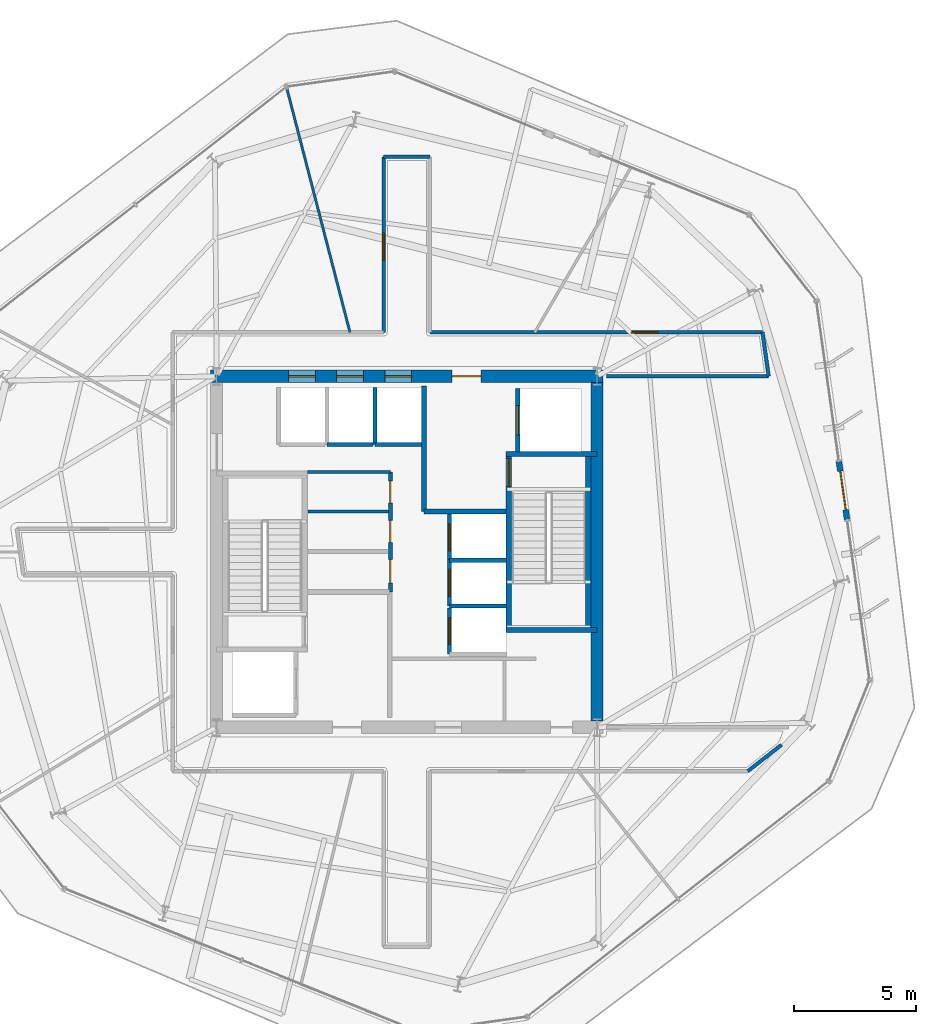
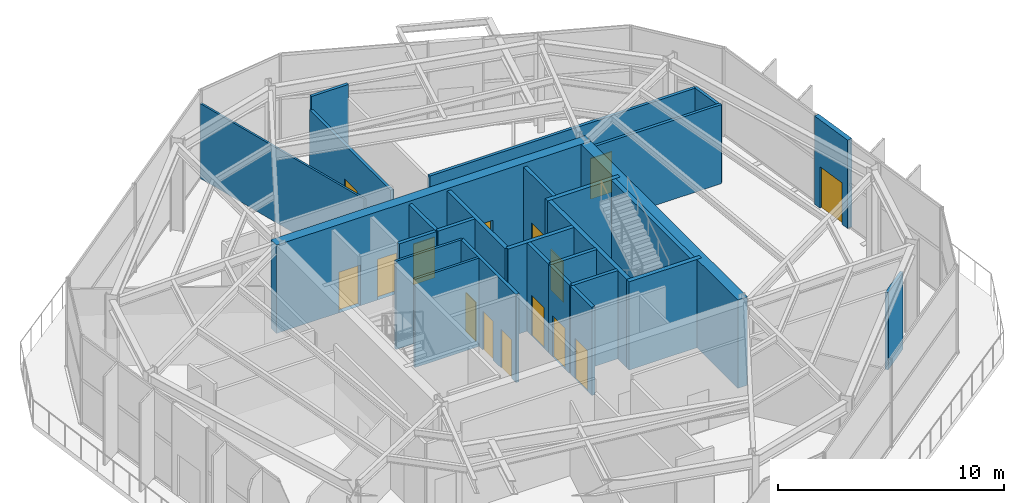
# One storey, part 10 of 14: 28 walls, 15 doors, 15 openings.
"""IFC4 building model written with IfcOpenShell, lengths in metres."""

from ifc_helpers import new_model, si_unit, direction, frame, frame_2d, origin, place, context, subcontext, project, spatial, rectangle, extrude, material, layer, layer_set, type_object, element, fill, save


model = new_model("IFC4")

# Units and contexts
model_context = context("Model", 3, precision=1e-05, world=origin(), true_north=direction((0.0, 1.0)))
body_context = subcontext(model_context, "Body", "Model", "MODEL_VIEW")
ifc_project = project(units=[si_unit("LENGTHUNIT", "METRE"), si_unit("AREAUNIT", "SQUARE_METRE"), si_unit("VOLUMEUNIT", "CUBIC_METRE"), si_unit("PLANEANGLEUNIT", "RADIAN"), si_unit("MASSUNIT", "GRAM", prefix="KILO")], contexts=[model_context])

# Site, building, storey
site_placement = place(None, origin())
site = spatial("IfcSite", under=ifc_project, at=site_placement, CompositionType="ELEMENT")
building_placement = place(site_placement, origin())
building = spatial("IfcBuilding", under=site, at=building_placement, Name="Kranzbogen Civic Tower", CompositionType="ELEMENT")
storey_placement = place(building_placement, frame((0.0, 0.0, 175.800048828125)))
storey = spatial("IfcBuildingStorey", under=building, at=storey_placement, Name="L42", CompositionType="ELEMENT", Elevation=175.800048828125)

# Wall, opening, door
ifc_material_1 = material(Name="Double-Stud Acoustic Gypsum Partition")
ifc_layer_1 = layer(ifc_material_1, 0.14990234375, Name="Double-Stud Acoustic Gypsum Partition")
ifc_layer_set_1 = layer_set([ifc_layer_1], Name="Double-Stud Acoustic Gypsum Partition")
wall_type_1 = type_object("IfcWallType", Name="Acoustic Corridor and Clinical Partition 150 mm", PredefinedType="PARTITIONING", material=ifc_layer_set_1)
wall_1_placement = place(storey_placement, frame((24.050048828125, 34.0, 0.0), z_axis=(0.0, 0.0, 1.0), x_axis=(0.0, 1.0, 0.0)))
wall_1 = element("IfcWall", 1, at=wall_1_placement, inside=storey, type_object=wall_type_1, Name="L42 corridor partition 11", PredefinedType="PARTITIONING", context=body_context, shape_type="SweptSolid", body=[
    extrude(rectangle(XDim=7.199951171875, YDim=0.14990234375, at=frame_2d((3.60009765625, 0.0))), origin(), (0.0, 0.0, 1.0), 4.050048828125),
])
opening_1_placement = place(wall_1_placement, frame((2.9619140625, 0.0, 0.0)))
opening_1 = element("IfcOpeningElement", 2, at=opening_1_placement, cuts=wall_1, Name="Opening D-COR60", PredefinedType="OPENING", context=body_context, shape_type="SweptSolid", body=[
    extrude(rectangle(XDim=1.10009765625, YDim=2.199951171875, at=frame_2d((0.550048828125, 1.10009765625))), frame((0.0, 0.0849609375, 0.0), z_axis=(0.0, -1.0, 0.0), x_axis=(1.0, 0.0, 0.0)), (0.0, 0.0, 1.0), 0.169921875),
])
ifc_material_2 = material(Name="Oak Timber and Fire Core", Category="wood")
door_type_1 = type_object("IfcDoorType", Name="Corridor Acoustic Fire Door 1100x2200", OperationType="NOTDEFINED", PredefinedType="DOOR", material=ifc_material_2)
door_1_placement = place(opening_1_placement, origin())
door_1 = element("IfcDoor", 3, at=door_1_placement, inside=storey, type_object=door_type_1, Name="L42 Refreshment Galley Pantry door", OperationType="SINGLE_SWING_LEFT", OverallHeight=2.199951171875, OverallWidth=1.10009765625, PredefinedType="DOOR", context=body_context, shape_type="SweptSolid", body=[
    extrude(rectangle(XDim=1.10009765625, YDim=2.199951171875, at=frame_2d((0.550048828125, 1.10009765625))), frame((0.0, 0.02490234375, 0.0), z_axis=(0.0, -1.0, 0.0), x_axis=(1.0, 0.0, 0.0)), (0.0, 0.0, 1.0), 0.050048828125),
])
fill(opening_1, door_1)

# Wall
wall_2_placement = place(storey_placement, frame((24.050048828125, 41.199951171875, 0.0), z_axis=(0.0, 0.0, 1.0), x_axis=(1.0, 0.0, 0.0)))
element("IfcWall", 4, at=wall_2_placement, inside=storey, type_object=wall_type_1, Name="L42 corridor partition 12", PredefinedType="PARTITIONING", context=body_context, shape_type="SweptSolid", body=[
    extrude(rectangle(XDim=1.89990234375, YDim=0.14990234375, at=frame_2d((0.949951171875, 0.0))), origin(), (0.0, 0.0, 1.0), 4.780029296875),
])

# Wall, opening, door
wall_3_placement = place(storey_placement, frame((25.949951171875, 34.0, 0.0), z_axis=(0.0, 0.0, 1.0), x_axis=(1.0, 0.0, 0.0)))
wall_3 = element("IfcWall", 5, at=wall_3_placement, inside=storey, type_object=wall_type_1, Name="L42 corridor partition 14", PredefinedType="PARTITIONING", context=body_context, shape_type="SweptSolid", body=[
    extrude(rectangle(XDim=13.64404296875, YDim=0.14990234375, at=frame_2d((6.822021484375, 0.0))), origin(), (0.0, 0.0, 1.0), 4.179931640625),
])
opening_2_placement = place(wall_3_placement, frame((8.262939453125, 0.0, 0.0)))
opening_2 = element("IfcOpeningElement", 6, at=opening_2_placement, cuts=wall_3, Name="Opening D-COR60", PredefinedType="OPENING", context=body_context, shape_type="SweptSolid", body=[
    extrude(rectangle(XDim=1.10009765625, YDim=2.199951171875, at=frame_2d((0.550048828125, 1.10009765625))), frame((0.0, 0.0849609375, 0.0), z_axis=(0.0, -1.0, 0.0), x_axis=(1.0, 0.0, 0.0)), (0.0, 0.0, 1.0), 0.169921875),
])
door_2_placement = place(opening_2_placement, origin())
door_2 = element("IfcDoor", 7, at=door_2_placement, inside=storey, type_object=door_type_1, Name="L42 Hospitality Catering Kitchen door", OperationType="SINGLE_SWING_RIGHT", OverallHeight=2.199951171875, OverallWidth=1.10009765625, PredefinedType="DOOR", context=body_context, shape_type="SweptSolid", body=[
    extrude(rectangle(XDim=1.10009765625, YDim=2.199951171875, at=frame_2d((0.550048828125, 1.10009765625))), frame((0.0, 0.02490234375, 0.0), z_axis=(0.0, -1.0, 0.0), x_axis=(1.0, 0.0, 0.0)), (0.0, 0.0, 1.0), 0.050048828125),
])
fill(opening_2, door_2)

# Walls
wall_4_placement = place(storey_placement, frame((39.593994140625, 34.0, 0.0), z_axis=(0.0, 0.0, 1.0), x_axis=(0.139145761488, -0.990271910669, 0.0)))
element("IfcWall", 8, at=wall_4_placement, inside=storey, type_object=wall_type_1, Name="L42 corridor partition 15", PredefinedType="PARTITIONING", context=body_context, shape_type="SweptSolid", body=[
    extrude(rectangle(XDim=1.817626953125, YDim=0.14990234375, at=frame_2d((0.90869140625, 0.0))), origin(), (0.0, 0.0, 1.0), 4.179931640625),
])
wall_5_placement = place(storey_placement, frame((39.846923828125, 32.199951171875, 0.0), z_axis=(0.0, 0.0, 1.0), x_axis=(-1.0, 0.0, 0.0)))
element("IfcWall", 9, at=wall_5_placement, inside=storey, type_object=wall_type_1, Name="L42 corridor partition 16", PredefinedType="PARTITIONING", context=body_context, shape_type="SweptSolid", body=[
    extrude(rectangle(XDim=6.64892578125, YDim=0.14990234375, at=frame_2d((3.324462890625, 0.0))), origin(), (0.0, 0.0, 1.0), 4.280029296875),
])
wall_6_placement = place(storey_placement, frame((40.375, 17.0830078125, 0.0), z_axis=(0.0, 0.0, 1.0), x_axis=(-0.78796755412, -0.615716764149, 0.0)))
element("IfcWall", 10, at=wall_6_placement, inside=storey, type_object=wall_type_1, Name="L42 corridor partition 18", PredefinedType="PARTITIONING", context=body_context, shape_type="SweptSolid", body=[
    extrude(rectangle(XDim=1.759033203125, YDim=0.14990234375, at=frame_2d((0.87939453125, 0.0))), origin(), (0.0, 0.0, 1.0), 4.179931640625),
])
ifc_material_3 = material(Name="Insulated Metal-Stud Gypsum Partition")
ifc_layer_2 = layer(ifc_material_3, 0.125, Name="Insulated Metal-Stud Gypsum Partition")
ifc_layer_set_2 = layer_set([ifc_layer_2], Name="Insulated Metal-Stud Gypsum Partition")
wall_type_2 = type_object("IfcWallType", Name="Acoustic Inter-Room Partition 125 mm", PredefinedType="PARTITIONING", material=ifc_layer_set_2)
wall_7_placement = place(storey_placement, frame((20.919921875, 28.280029296875, 0.0), z_axis=(0.0, 0.0, 1.0), x_axis=(1.0, 0.0, 0.0)))
element("IfcWall", 11, at=wall_7_placement, inside=storey, type_object=wall_type_2, Name="L42 core auxiliary North wall", PredefinedType="PARTITIONING", context=body_context, shape_type="SweptSolid", body=[
    extrude(rectangle(XDim=3.405029296875, YDim=0.125, at=frame_2d((1.70263671875, 0.0))), origin(), (0.0, 0.0, 1.0), 4.780029296875),
])
wall_8_placement = place(storey_placement, frame((20.949951171875, 26.659912109375, 0.0), z_axis=(0.0, 0.0, 1.0), x_axis=(1.0, 0.0, 0.0)))
element("IfcWall", 12, at=wall_8_placement, inside=storey, type_object=wall_type_2, Name="L42 core auxiliary partition 3", PredefinedType="PARTITIONING", context=body_context, shape_type="SweptSolid", body=[
    extrude(rectangle(XDim=3.300048828125, YDim=0.125, at=frame_2d((1.64990234375, 0.0))), origin(), (0.0, 0.0, 1.0), 4.780029296875),
])

# Wall, openings, doors
ifc_material_4 = material(Name="Concrete C45/55", Category="concrete")
ifc_layer_3 = layer(ifc_material_4, 0.5, Name="Concrete C45/55")
ifc_layer_set_3 = layer_set([ifc_layer_3], Name="Concrete C45/55")
wall_type_3 = type_object("IfcWallType", Name="Central Core Shear Wall 500 mm", PredefinedType="SHEAR", material=ifc_layer_set_3)
wall_9_placement = place(storey_placement, frame((33.050048828125, 32.199951171875, 0.0), z_axis=(0.0, 0.0, 1.0), x_axis=(-1.0, 0.0, 0.0)))
wall_9 = element("IfcWall", 13, at=wall_9_placement, inside=storey, type_object=wall_type_3, Name="L42 central core North shear wall", PredefinedType="SHEAR", context=body_context, shape_type="SweptSolid", body=[
    extrude(rectangle(XDim=16.10009765625, YDim=0.5, at=frame_2d((8.050048828125, 0.0))), origin(), (0.0, 0.0, 1.0), 4.780029296875),
])
opening_3_placement = place(wall_9_placement, frame((5.0, 0.0, 0.0)))
opening_3 = element("IfcOpeningElement", 14, at=opening_3_placement, cuts=wall_9, Name="Opening D-EX120", PredefinedType="OPENING", context=body_context, shape_type="SweptSolid", body=[
    extrude(rectangle(XDim=1.199951171875, YDim=2.25, at=frame_2d((0.60009765625, 1.125))), frame((0.0, 0.260009765625, 0.0), z_axis=(0.0, -1.0, 0.0), x_axis=(1.0, 0.0, 0.0)), (0.0, 0.0, 1.0), 0.52001953125),
])
opening_4_placement = place(wall_9_placement, frame((11.800048828125, 0.0, 0.0)))
opening_4 = element("IfcOpeningElement", 15, at=opening_4_placement, cuts=wall_9, Name="Opening LD-MP-01", PredefinedType="OPENING", context=body_context, shape_type="SweptSolid", body=[
    extrude(rectangle(XDim=1.10009765625, YDim=2.199951171875, at=frame_2d((0.550048828125, 1.10009765625))), frame((0.0, 0.260009765625, 0.0), z_axis=(0.0, -1.0, 0.0), x_axis=(1.0, 0.0, 0.0)), (0.0, 0.0, 1.0), 0.52001953125),
])
opening_5_placement = place(wall_9_placement, frame((9.824951171875, 0.0, 0.0)))
opening_5 = element("IfcOpeningElement", 16, at=opening_5_placement, cuts=wall_9, Name="Opening LD-MP-02", PredefinedType="OPENING", context=body_context, shape_type="SweptSolid", body=[
    extrude(rectangle(XDim=1.10009765625, YDim=2.199951171875, at=frame_2d((0.550048828125, 1.10009765625))), frame((0.0, 0.260009765625, 0.0), z_axis=(0.0, -1.0, 0.0), x_axis=(1.0, 0.0, 0.0)), (0.0, 0.0, 1.0), 0.52001953125),
])
opening_6_placement = place(wall_9_placement, frame((7.85009765625, 0.0, 0.0)))
opening_6 = element("IfcOpeningElement", 17, at=opening_6_placement, cuts=wall_9, Name="Opening LD-MP-03", PredefinedType="OPENING", context=body_context, shape_type="SweptSolid", body=[
    extrude(rectangle(XDim=1.10009765625, YDim=2.199951171875, at=frame_2d((0.550048828125, 1.10009765625))), frame((0.0, 0.260009765625, 0.0), z_axis=(0.0, -1.0, 0.0), x_axis=(1.0, 0.0, 0.0)), (0.0, 0.0, 1.0), 0.52001953125),
])
ifc_material_5 = material(Name="Steel S355", Category="steel")
door_type_2 = type_object("IfcDoorType", Name="Exit Passageway Fire Door 1200x2250", OperationType="NOTDEFINED", PredefinedType="DOOR", material=ifc_material_5)
door_3_placement = place(opening_3_placement, origin())
door_3 = element("IfcDoor", 18, at=door_3_placement, inside=storey, type_object=door_type_2, Name="L42 East firefighting lobby corridor door", OperationType="SINGLE_SWING_RIGHT", OverallHeight=2.25, OverallWidth=1.199951171875, PredefinedType="DOOR", context=body_context, shape_type="SweptSolid", body=[
    extrude(rectangle(XDim=1.199951171875, YDim=2.25, at=frame_2d((0.60009765625, 1.125))), frame((0.0, 0.02490234375, 0.0), z_axis=(0.0, -1.0, 0.0), x_axis=(1.0, 0.0, 0.0)), (0.0, 0.0, 1.0), 0.050048828125),
])
fill(opening_3, door_3)
ifc_material_6 = material(Name="Pale Anodised Aluminium", Category="aluminium")
door_type_3 = type_object("IfcDoorType", Name="Passenger Lift Sliding Landing Door 1100x2200", OperationType="DOUBLE_DOOR_SLIDING", PredefinedType="DOOR", material=ifc_material_6)
door_4_placement = place(opening_4_placement, origin())
door_4 = element("IfcDoor", 19, at=door_4_placement, inside=storey, type_object=door_type_3, Name="L42 lift MP-01 sliding landing door", OperationType="DOUBLE_DOOR_SLIDING", OverallHeight=2.199951171875, OverallWidth=1.10009765625, PredefinedType="DOOR", context=body_context, shape_type="SweptSolid", body=[
    extrude(rectangle(XDim=1.10009765625, YDim=2.199951171875, at=frame_2d((0.550048828125, 1.10009765625))), frame((0.0, 0.02490234375, 0.0), z_axis=(0.0, -1.0, 0.0), x_axis=(1.0, 0.0, 0.0)), (0.0, 0.0, 1.0), 0.050048828125),
])
fill(opening_4, door_4)
door_5_placement = place(opening_5_placement, origin())
door_5 = element("IfcDoor", 20, at=door_5_placement, inside=storey, type_object=door_type_3, Name="L42 lift MP-02 sliding landing door", OperationType="DOUBLE_DOOR_SLIDING", OverallHeight=2.199951171875, OverallWidth=1.10009765625, PredefinedType="DOOR", context=body_context, shape_type="SweptSolid", body=[
    extrude(rectangle(XDim=1.10009765625, YDim=2.199951171875, at=frame_2d((0.550048828125, 1.10009765625))), frame((0.0, 0.02490234375, 0.0), z_axis=(0.0, -1.0, 0.0), x_axis=(1.0, 0.0, 0.0)), (0.0, 0.0, 1.0), 0.050048828125),
])
fill(opening_5, door_5)
door_6_placement = place(opening_6_placement, origin())
door_6 = element("IfcDoor", 21, at=door_6_placement, inside=storey, type_object=door_type_3, Name="L42 lift MP-03 sliding landing door", OperationType="DOUBLE_DOOR_SLIDING", OverallHeight=2.199951171875, OverallWidth=1.10009765625, PredefinedType="DOOR", context=body_context, shape_type="SweptSolid", body=[
    extrude(rectangle(XDim=1.10009765625, YDim=2.199951171875, at=frame_2d((0.550048828125, 1.10009765625))), frame((0.0, 0.02490234375, 0.0), z_axis=(0.0, -1.0, 0.0), x_axis=(1.0, 0.0, 0.0)), (0.0, 0.0, 1.0), 0.050048828125),
])
fill(opening_6, door_6)

# Wall
wall_10_placement = place(storey_placement, frame((32.800048828125, 18.050048828125, 0.0), z_axis=(0.0, 0.0, 1.0), x_axis=(0.0, 1.0, 0.0)))
element("IfcWall", 22, at=wall_10_placement, inside=storey, type_object=wall_type_3, Name="L42 central core East shear wall", PredefinedType="SHEAR", context=body_context, shape_type="SweptSolid", body=[
    extrude(rectangle(XDim=13.89990234375, YDim=0.5, at=frame_2d((6.949951171875, 0.0))), origin(), (0.0, 0.0, 1.0), 4.780029296875),
])

# Wall, opening, door
ifc_layer_4 = layer(ifc_material_4, 0.219970703125, Name="Concrete C45/55")
ifc_layer_set_4 = layer_set([ifc_layer_4], Name="Concrete C45/55")
wall_type_4 = type_object("IfcWallType", Name="Core Internal Stair Structural Wall 220 mm", PredefinedType="SOLIDWALL", material=ifc_layer_set_4)
wall_11_placement = place(storey_placement, frame((29.18994140625, 21.7900390625, 0.0), z_axis=(0.0, 0.0, 1.0), x_axis=(0.0, 1.0, 0.0)))
wall_11 = element("IfcWall", 23, at=wall_11_placement, inside=storey, type_object=wall_type_4, Name="L42 ST-T2 West structural stair wall", PredefinedType="SOLIDWALL", context=body_context, shape_type="SweptSolid", body=[
    extrude(rectangle(XDim=7.219970703125, YDim=0.219970703125, at=frame_2d((3.60986328125, 0.0))), origin(), (0.0, 0.0, 1.0), 4.780029296875),
])
opening_7_placement = place(wall_11_placement, frame((5.8798828125, 0.0, 0.0)))
opening_7 = element("IfcOpeningElement", 24, at=opening_7_placement, cuts=wall_11, Name="Opening D-ST90", PredefinedType="OPENING", context=body_context, shape_type="SweptSolid", body=[
    extrude(rectangle(XDim=1.14990234375, YDim=2.199951171875, at=frame_2d((0.574951171875, 1.10009765625))), frame((0.0, 0.1201171875, 0.0), z_axis=(0.0, -1.0, 0.0), x_axis=(1.0, 0.0, 0.0)), (0.0, 0.0, 1.0), 0.239990234375),
])
door_type_4 = type_object("IfcDoorType", Name="Pressurized Stair and Lobby Fire Door 1150x2200", OperationType="NOTDEFINED", PredefinedType="DOOR", material=ifc_material_5)
door_7_placement = place(opening_7_placement, origin())
door_7 = element("IfcDoor", 25, at=door_7_placement, inside=storey, type_object=door_type_4, Name="L42 Stair ST-T2 fire door", OperationType="SINGLE_SWING_RIGHT", OverallHeight=2.199951171875, OverallWidth=1.14990234375, PredefinedType="DOOR", context=body_context, shape_type="SweptSolid", body=[
    extrude(rectangle(XDim=1.14990234375, YDim=2.199951171875, at=frame_2d((0.574951171875, 1.10009765625))), frame((0.0, 0.02490234375, 0.0), z_axis=(0.0, -1.0, 0.0), x_axis=(1.0, 0.0, 0.0)), (0.0, 0.0, 1.0), 0.050048828125),
])
fill(opening_7, door_7)

# Walls
for number, where, z_axis, x_axis, name in (
    (26, (29.080078125, 21.7900390625, 0.0), (0.0, 0.0, 1.0), (1.0, 0.0, 0.0), "L42 ST-T2 South structural stair wall"),
    (27, (29.080078125, 29.010009765625, 0.0), (0.0, 0.0, 1.0), (1.0, 0.0, 0.0), "L42 ST-T2 North structural stair wall"),
):
    element("IfcWall", number, at=place(storey_placement, frame(where, z_axis=z_axis, x_axis=x_axis)), inside=storey, type_object=wall_type_4, Name=name, PredefinedType="SOLIDWALL", context=body_context, shape_type="SweptSolid", body=[
        extrude(rectangle(XDim=3.719970703125, YDim=0.219970703125, at=frame_2d((1.85986328125, 0.0))), origin(), (0.0, 0.0, 1.0), 4.780029296875),
    ])
wall_12_placement = place(storey_placement, frame((32.445068359375, 29.010009765625, 0.0), z_axis=(0.0, 0.0, 1.0), x_axis=(0.0, -1.0, 0.0)))
element("IfcWall", 28, at=wall_12_placement, inside=storey, type_object=wall_type_4, Name="L42 ST-T2 East structural stair wall", PredefinedType="SOLIDWALL", context=body_context, shape_type="SweptSolid", body=[
    extrude(rectangle(XDim=7.219970703125, YDim=0.219970703125, at=frame_2d((3.60986328125, 0.0))), origin(), (0.0, 0.0, 1.0), 4.780029296875),
])
ifc_material_7 = material(Name="Demountable Aluminium and Gypsum Partition", Category="aluminium")
ifc_layer_5 = layer(ifc_material_7, 0.10009765625, Name="Demountable Aluminium and Gypsum Partition")
ifc_layer_set_5 = layer_set([ifc_layer_5], Name="Demountable Aluminium and Gypsum Partition")
wall_type_5 = type_object("IfcWallType", Name="Demountable Office Partition 100 mm", PredefinedType="MOVABLE", material=ifc_layer_set_5)
wall_13_placement = place(storey_placement, frame((22.6708984375, 34.0, 0.0), z_axis=(0.0, 0.0, 1.0), x_axis=(-0.250522569183, 0.96811075933, 0.0)))
element("IfcWall", 29, at=wall_13_placement, inside=storey, type_object=wall_type_5, Name="L42 radial room partition 02", PredefinedType="MOVABLE", context=body_context, shape_type="SweptSolid", body=[
    extrude(rectangle(XDim=10.389404296875, YDim=0.10009765625, at=frame_2d((5.19482421875, 0.0))), origin(), (0.0, 0.0, 1.0), 4.050048828125),
])
ifc_material_8 = material(Name="Gypsum Fireboard and Concrete Block", Category="concrete")
ifc_layer_6 = layer(ifc_material_8, 0.199951171875, Name="Gypsum Fireboard and Concrete Block")
ifc_layer_set_6 = layer_set([ifc_layer_6], Name="Gypsum Fireboard and Concrete Block")
wall_type_6 = type_object("IfcWallType", Name="Fire-Rated Exit Passageway and Stair Wall 200 mm", PredefinedType="PARTITIONING", material=ifc_layer_set_6)
wall_14_placement = place(storey_placement, frame((25.699951171875, 26.64990234375, 0.0), z_axis=(0.0, 0.0, 1.0), x_axis=(0.0, 1.0, 0.0)))
element("IfcWall", 30, at=wall_14_placement, inside=storey, type_object=wall_type_6, Name="L42 East firefighting lobby West wall", PredefinedType="PARTITIONING", context=body_context, shape_type="SweptSolid", body=[
    extrude(rectangle(XDim=5.150146484375, YDim=0.199951171875, at=frame_2d((2.5751953125, 0.0))), origin(), (0.0, 0.0, 1.0), 4.780029296875),
])
wall_15_placement = place(storey_placement, frame((25.699951171875, 26.64990234375, 0.0), z_axis=(0.0, 0.0, 1.0), x_axis=(1.0, 0.0, 0.0)))
element("IfcWall", 31, at=wall_15_placement, inside=storey, type_object=wall_type_6, Name="L42 East firefighting lobby South wall", PredefinedType="PARTITIONING", context=body_context, shape_type="SweptSolid", body=[
    extrude(rectangle(XDim=3.380126953125, YDim=0.199951171875, at=frame_2d((1.68994140625, 0.0))), origin(), (0.0, 0.0, 1.0), 4.780029296875),
])
ifc_material_9 = material(Name="Gypsum Fireboard Shaftliner")
ifc_layer_7 = layer(ifc_material_9, 0.175048828125, Name="Gypsum Fireboard Shaftliner")
ifc_layer_set_7 = layer_set([ifc_layer_7], Name="Gypsum Fireboard Shaftliner")
wall_type_7 = type_object("IfcWallType", Name="Fire-Rated Lift and Service Shaft Wall 175 mm", PredefinedType="PARTITIONING", material=ifc_layer_set_7)
wall_16_placement = place(storey_placement, frame((21.72509765625, 29.39990234375, 0.0), z_axis=(0.0, 0.0, 1.0), x_axis=(1.0, 0.0, 0.0)))
element("IfcWall", 32, at=wall_16_placement, inside=storey, type_object=wall_type_7, Name="L42 lift MP-02 rear wall", PredefinedType="PARTITIONING", context=body_context, shape_type="SweptSolid", body=[
    extrude(rectangle(XDim=1.89990234375, YDim=0.175048828125, at=frame_2d((0.949951171875, 0.0))), origin(), (0.0, 0.0, 1.0), 4.780029296875),
])
wall_17_placement = place(storey_placement, frame((23.699951171875, 29.39990234375, 0.0), z_axis=(0.0, 0.0, 1.0), x_axis=(1.0, 0.0, 0.0)))
element("IfcWall", 33, at=wall_17_placement, inside=storey, type_object=wall_type_7, Name="L42 lift MP-03 rear wall", PredefinedType="PARTITIONING", context=body_context, shape_type="SweptSolid", body=[
    extrude(rectangle(XDim=1.900146484375, YDim=0.175048828125, at=frame_2d((0.9501953125, 0.0))), origin(), (0.0, 0.0, 1.0), 4.780029296875),
])
wall_18_placement = place(storey_placement, frame((23.699951171875, 29.39990234375, 0.0), z_axis=(0.0, 0.0, 1.0), x_axis=(0.0, 1.0, 0.0)))
element("IfcWall", 34, at=wall_18_placement, inside=storey, type_object=wall_type_7, Name="L42 lift MP-03 side wall", PredefinedType="PARTITIONING", context=body_context, shape_type="SweptSolid", body=[
    extrude(rectangle(XDim=2.35009765625, YDim=0.175048828125, at=frame_2d((1.175048828125, 0.0))), origin(), (0.0, 0.0, 1.0), 4.780029296875),
])

# Wall, opening, door
wall_19_placement = place(storey_placement, frame((26.75, 20.800048828125, 0.0), z_axis=(0.0, 0.0, 1.0), x_axis=(0.0, 1.0, 0.0)))
wall_19 = element("IfcWall", 35, at=wall_19_placement, inside=storey, type_object=wall_type_7, Name="L42 lift HP-01 landing wall", PredefinedType="PARTITIONING", context=body_context, shape_type="SweptSolid", body=[
    extrude(rectangle(XDim=1.89990234375, YDim=0.175048828125, at=frame_2d((0.949951171875, 0.0))), origin(), (0.0, 0.0, 1.0), 4.780029296875),
])
opening_8_placement = place(wall_19_placement, frame((0.39990234375, 0.0, 0.0)))
opening_8 = element("IfcOpeningElement", 36, at=opening_8_placement, cuts=wall_19, Name="Opening LD-HP-01", PredefinedType="OPENING", context=body_context, shape_type="SweptSolid", body=[
    extrude(rectangle(XDim=1.10009765625, YDim=2.199951171875, at=frame_2d((0.550048828125, 1.10009765625))), frame((0.0, 0.09765625, 0.0), z_axis=(0.0, -1.0, 0.0), x_axis=(1.0, 0.0, 0.0)), (0.0, 0.0, 1.0), 0.195068359375),
])
door_8_placement = place(opening_8_placement, origin())
door_8 = element("IfcDoor", 37, at=door_8_placement, inside=storey, type_object=door_type_3, Name="L42 lift HP-01 sliding landing door", OperationType="DOUBLE_DOOR_SLIDING", OverallHeight=2.199951171875, OverallWidth=1.10009765625, PredefinedType="DOOR", context=body_context, shape_type="SweptSolid", body=[
    extrude(rectangle(XDim=1.10009765625, YDim=2.199951171875, at=frame_2d((0.550048828125, 1.10009765625))), frame((0.0, 0.02490234375, 0.0), z_axis=(0.0, -1.0, 0.0), x_axis=(1.0, 0.0, 0.0)), (0.0, 0.0, 1.0), 0.050048828125),
])
fill(opening_8, door_8)

wall_20_placement = place(storey_placement, frame((26.75, 22.77490234375, 0.0), z_axis=(0.0, 0.0, 1.0), x_axis=(0.0, 1.0, 0.0)))
wall_20 = element("IfcWall", 38, at=wall_20_placement, inside=storey, type_object=wall_type_7, Name="L42 lift HP-02 landing wall", PredefinedType="PARTITIONING", context=body_context, shape_type="SweptSolid", body=[
    extrude(rectangle(XDim=1.900146484375, YDim=0.175048828125, at=frame_2d((0.9501953125, 0.0))), origin(), (0.0, 0.0, 1.0), 4.780029296875),
])
opening_9_placement = place(wall_20_placement, frame((0.39990234375, 0.0, 0.0)))
opening_9 = element("IfcOpeningElement", 39, at=opening_9_placement, cuts=wall_20, Name="Opening LD-HP-02", PredefinedType="OPENING", context=body_context, shape_type="SweptSolid", body=[
    extrude(rectangle(XDim=1.10009765625, YDim=2.199951171875, at=frame_2d((0.550048828125, 1.10009765625))), frame((0.0, 0.09765625, 0.0), z_axis=(0.0, -1.0, 0.0), x_axis=(1.0, 0.0, 0.0)), (0.0, 0.0, 1.0), 0.195068359375),
])
door_9_placement = place(opening_9_placement, origin())
door_9 = element("IfcDoor", 40, at=door_9_placement, inside=storey, type_object=door_type_3, Name="L42 lift HP-02 sliding landing door", OperationType="DOUBLE_DOOR_SLIDING", OverallHeight=2.199951171875, OverallWidth=1.10009765625, PredefinedType="DOOR", context=body_context, shape_type="SweptSolid", body=[
    extrude(rectangle(XDim=1.10009765625, YDim=2.199951171875, at=frame_2d((0.550048828125, 1.10009765625))), frame((0.0, 0.02490234375, 0.0), z_axis=(0.0, -1.0, 0.0), x_axis=(1.0, 0.0, 0.0)), (0.0, 0.0, 1.0), 0.050048828125),
])
fill(opening_9, door_9)

# Wall
wall_21_placement = place(storey_placement, frame((26.75, 22.77490234375, 0.0), z_axis=(0.0, 0.0, 1.0), x_axis=(1.0, 0.0, 0.0)))
element("IfcWall", 41, at=wall_21_placement, inside=storey, type_object=wall_type_7, Name="L42 lift HP-02 side wall", PredefinedType="PARTITIONING", context=body_context, shape_type="SweptSolid", body=[
    extrude(rectangle(XDim=2.35009765625, YDim=0.175048828125, at=frame_2d((1.175048828125, 0.0))), origin(), (0.0, 0.0, 1.0), 4.780029296875),
])

# Wall, opening, door
wall_22_placement = place(storey_placement, frame((26.75, 24.64990234375, 0.0), z_axis=(0.0, 0.0, 1.0), x_axis=(0.0, 1.0, 0.0)))
wall_22 = element("IfcWall", 42, at=wall_22_placement, inside=storey, type_object=wall_type_7, Name="L42 lift HP-03 landing wall", PredefinedType="PARTITIONING", context=body_context, shape_type="SweptSolid", body=[
    extrude(rectangle(XDim=1.900146484375, YDim=0.175048828125, at=frame_2d((0.9501953125, 0.0))), origin(), (0.0, 0.0, 1.0), 4.780029296875),
])
opening_10_placement = place(wall_22_placement, frame((0.39990234375, 0.0, 0.0)))
opening_10 = element("IfcOpeningElement", 43, at=opening_10_placement, cuts=wall_22, Name="Opening LD-HP-03", PredefinedType="OPENING", context=body_context, shape_type="SweptSolid", body=[
    extrude(rectangle(XDim=1.10009765625, YDim=2.199951171875, at=frame_2d((0.550048828125, 1.10009765625))), frame((0.0, 0.09765625, 0.0), z_axis=(0.0, -1.0, 0.0), x_axis=(1.0, 0.0, 0.0)), (0.0, 0.0, 1.0), 0.195068359375),
])
door_10_placement = place(opening_10_placement, origin())
door_10 = element("IfcDoor", 44, at=door_10_placement, inside=storey, type_object=door_type_3, Name="L42 lift HP-03 sliding landing door", OperationType="DOUBLE_DOOR_SLIDING", OverallHeight=2.199951171875, OverallWidth=1.10009765625, PredefinedType="DOOR", context=body_context, shape_type="SweptSolid", body=[
    extrude(rectangle(XDim=1.10009765625, YDim=2.199951171875, at=frame_2d((0.550048828125, 1.10009765625))), frame((0.0, 0.02490234375, 0.0), z_axis=(0.0, -1.0, 0.0), x_axis=(1.0, 0.0, 0.0)), (0.0, 0.0, 1.0), 0.050048828125),
])
fill(opening_10, door_10)

# Wall
wall_23_placement = place(storey_placement, frame((26.75, 24.64990234375, 0.0), z_axis=(0.0, 0.0, 1.0), x_axis=(1.0, 0.0, 0.0)))
element("IfcWall", 45, at=wall_23_placement, inside=storey, type_object=wall_type_7, Name="L42 lift HP-03 side wall", PredefinedType="PARTITIONING", context=body_context, shape_type="SweptSolid", body=[
    extrude(rectangle(XDim=2.35009765625, YDim=0.175048828125, at=frame_2d((1.175048828125, 0.0))), origin(), (0.0, 0.0, 1.0), 4.780029296875),
])

# Wall, opening, door
wall_24_placement = place(storey_placement, frame((29.550048828125, 29.10009765625, 0.0), z_axis=(0.0, 0.0, 1.0), x_axis=(0.0, 1.0, 0.0)))
wall_24 = element("IfcWall", 46, at=wall_24_placement, inside=storey, type_object=wall_type_7, Name="L42 lift FF-02 landing wall", PredefinedType="PARTITIONING", context=body_context, shape_type="SweptSolid", body=[
    extrude(rectangle(XDim=2.599853515625, YDim=0.175048828125, at=frame_2d((1.2998046875, 0.0))), origin(), (0.0, 0.0, 1.0), 4.780029296875),
])
opening_11_placement = place(wall_24_placement, frame((0.699951171875, 0.0, 0.0)))
opening_11 = element("IfcOpeningElement", 47, at=opening_11_placement, cuts=wall_24, Name="Opening LD-FF-02", PredefinedType="OPENING", context=body_context, shape_type="SweptSolid", body=[
    extrude(rectangle(XDim=1.199951171875, YDim=2.199951171875, at=frame_2d((0.60009765625, 1.10009765625))), frame((0.0, 0.09765625, 0.0), z_axis=(0.0, -1.0, 0.0), x_axis=(1.0, 0.0, 0.0)), (0.0, 0.0, 1.0), 0.195068359375),
])
door_type_5 = type_object("IfcDoorType", Name="Firefighting and Stretcher Lift Sliding Landing Door 1200x2200", OperationType="DOUBLE_DOOR_SLIDING", PredefinedType="DOOR", material=ifc_material_6)
door_11_placement = place(opening_11_placement, origin())
door_11 = element("IfcDoor", 48, at=door_11_placement, inside=storey, type_object=door_type_5, Name="L42 lift FF-02 sliding landing door", OperationType="DOUBLE_DOOR_SLIDING", OverallHeight=2.199951171875, OverallWidth=1.199951171875, PredefinedType="DOOR", context=body_context, shape_type="SweptSolid", body=[
    extrude(rectangle(XDim=1.199951171875, YDim=2.199951171875, at=frame_2d((0.60009765625, 1.10009765625))), frame((0.0, 0.02490234375, 0.0), z_axis=(0.0, -1.0, 0.0), x_axis=(1.0, 0.0, 0.0)), (0.0, 0.0, 1.0), 0.050048828125),
])
fill(opening_11, door_11)

ifc_layer_8 = layer(ifc_material_6, 0.239990234375, Name="Pale Anodised Aluminium")
ifc_layer_set_8 = layer_set([ifc_layer_8], Name="Pale Anodised Aluminium")
wall_type_8 = type_object("IfcWallType", Name="Insulated Aluminium Facade Portal Wall 240 mm", PredefinedType="STANDARD", material=ifc_layer_set_8)
wall_25_placement = place(storey_placement, frame((43.06298828125, 26.326904296875, 0.0), z_axis=(0.0, 0.0, 1.0), x_axis=(-0.139128609486, 0.990274320591, 0.0)))
wall_25 = element("IfcWall", 49, at=wall_25_placement, inside=storey, type_object=wall_type_8, Name="L42 exterior entrance portal wall 1", PredefinedType="STANDARD", context=body_context, shape_type="SweptSolid", body=[
    extrude(rectangle(XDim=2.400634765625, YDim=0.239990234375, at=frame_2d((1.2001953125, 0.0))), origin(), (0.0, 0.0, 1.0), 4.780029296875),
])
opening_12_placement = place(wall_25_placement, frame((0.39990234375, 0.0, 0.0)))
opening_12 = element("IfcOpeningElement", 50, at=opening_12_placement, cuts=wall_25, Name="Opening D-TER", PredefinedType="OPENING", context=body_context, shape_type="SweptSolid", body=[
    extrude(rectangle(XDim=1.60009765625, YDim=2.25, at=frame_2d((0.800048828125, 1.125))), frame((0.0, 0.1298828125, 0.0), z_axis=(0.0, -1.0, 0.0), x_axis=(1.0, 0.0, 0.0)), (0.0, 0.0, 1.0), 0.260009765625),
])
ifc_material_10 = material(Name="Anodised Bronze and Triple Glass", Category="glass")
door_type_6 = type_object("IfcDoorType", Name="Glazed Terrace and Balcony Double Door 1600x2250", OperationType="DOUBLE_DOOR_SINGLE_SWING", PredefinedType="DOOR", material=ifc_material_10)
door_12_placement = place(opening_12_placement, frame((1.60009765625, 0.0, 0.0), z_axis=(0.0, 0.0, 1.0), x_axis=(-1.0, 0.0, 0.0)))
door_12 = element("IfcDoor", 51, at=door_12_placement, inside=storey, type_object=door_type_6, Name="L42 tree balcony access door L42-TB1", OperationType="DOUBLE_DOOR_SINGLE_SWING", OverallHeight=2.25, OverallWidth=1.60009765625, PredefinedType="DOOR", context=body_context, shape_type="SweptSolid", body=[
    extrude(rectangle(XDim=1.60009765625, YDim=2.25, at=frame_2d((0.800048828125, 1.125))), frame((0.0, 0.02490234375, 0.0), z_axis=(0.0, -1.0, 0.0), x_axis=(1.0, 0.0, 0.0)), (0.0, 0.0, 1.0), 0.050048828125),
])
fill(opening_12, door_12)

# Wall, openings, doors
ifc_material_11 = material(Name="Moisture-Resistant Gypsum Assembly")
ifc_layer_9 = layer(ifc_material_11, 0.159912109375, Name="Moisture-Resistant Gypsum Assembly")
ifc_layer_set_9 = layer_set([ifc_layer_9], Name="Moisture-Resistant Gypsum Assembly")
wall_type_9 = type_object("IfcWallType", Name="Sanitary and Plumbing Wet Wall 160 mm", PredefinedType="PLUMBINGWALL", material=ifc_layer_set_9)
wall_26_placement = place(storey_placement, frame((24.324951171875, 23.35009765625, 0.0), z_axis=(0.0, 0.0, 1.0), x_axis=(0.0, 1.0, 0.0)))
wall_26 = element("IfcWall", 52, at=wall_26_placement, inside=storey, type_object=wall_type_9, Name="L42 core auxiliary East wall", PredefinedType="PLUMBINGWALL", context=body_context, shape_type="SweptSolid", body=[
    extrude(rectangle(XDim=4.929931640625, YDim=0.159912109375, at=frame_2d((2.46484375, 0.0))), origin(), (0.0, 0.0, 1.0), 4.780029296875),
])
opening_13_placement = place(wall_26_placement, frame((0.375, 0.0, 0.0)))
opening_13 = element("IfcOpeningElement", 53, at=opening_13_placement, cuts=wall_26, Name="Opening D-AWC95", PredefinedType="OPENING", context=body_context, shape_type="SweptSolid", body=[
    extrude(rectangle(XDim=0.949951171875, YDim=2.10009765625, at=frame_2d((0.47509765625, 1.050048828125))), frame((0.0, 0.08984375, 0.0), z_axis=(0.0, -1.0, 0.0), x_axis=(1.0, 0.0, 0.0)), (0.0, 0.0, 1.0), 0.179931640625),
])
opening_14_placement = place(wall_26_placement, frame((2.034912109375, 0.0, 0.0)))
opening_14 = element("IfcOpeningElement", 54, at=opening_14_placement, cuts=wall_26, Name="Opening D-WC90", PredefinedType="OPENING", context=body_context, shape_type="SweptSolid", body=[
    extrude(rectangle(XDim=0.89990234375, YDim=2.10009765625, at=frame_2d((0.449951171875, 1.050048828125))), frame((0.0, 0.08984375, 0.0), z_axis=(0.0, -1.0, 0.0), x_axis=(1.0, 0.0, 0.0)), (0.0, 0.0, 1.0), 0.179931640625),
])
opening_15_placement = place(wall_26_placement, frame((3.659912109375, 0.0, 0.0)))
opening_15 = element("IfcOpeningElement", 55, at=opening_15_placement, cuts=wall_26, Name="Opening D-WC90", PredefinedType="OPENING", context=body_context, shape_type="SweptSolid", body=[
    extrude(rectangle(XDim=0.89990234375, YDim=2.10009765625, at=frame_2d((0.449951171875, 1.050048828125))), frame((0.0, 0.08984375, 0.0), z_axis=(0.0, -1.0, 0.0), x_axis=(1.0, 0.0, 0.0)), (0.0, 0.0, 1.0), 0.179931640625),
])
ifc_material_12 = material(Name="Moisture-Resistant Laminate")
door_type_7 = type_object("IfcDoorType", Name="Accessible Restroom Door 950x2100", OperationType="NOTDEFINED", PredefinedType="DOOR", material=ifc_material_12)
door_13_placement = place(opening_13_placement, origin())
door_13 = element("IfcDoor", 56, at=door_13_placement, inside=storey, type_object=door_type_7, Name="L42 Accessible Restroom door", OperationType="SINGLE_SWING_LEFT", OverallHeight=2.10009765625, OverallWidth=0.949951171875, PredefinedType="DOOR", context=body_context, shape_type="SweptSolid", body=[
    extrude(rectangle(XDim=0.949951171875, YDim=2.10009765625, at=frame_2d((0.47509765625, 1.050048828125))), frame((0.0, 0.02490234375, 0.0), z_axis=(0.0, -1.0, 0.0), x_axis=(1.0, 0.0, 0.0)), (0.0, 0.0, 1.0), 0.050048828125),
])
fill(opening_13, door_13)
door_type_8 = type_object("IfcDoorType", Name="Standard Restroom and Store Door 900x2100", OperationType="NOTDEFINED", PredefinedType="DOOR", material=ifc_material_12)
door_14_placement = place(opening_14_placement, origin())
door_14 = element("IfcDoor", 57, at=door_14_placement, inside=storey, type_object=door_type_8, Name="L42 Staff Restroom door", OperationType="SINGLE_SWING_RIGHT", OverallHeight=2.10009765625, OverallWidth=0.89990234375, PredefinedType="DOOR", context=body_context, shape_type="SweptSolid", body=[
    extrude(rectangle(XDim=0.89990234375, YDim=2.10009765625, at=frame_2d((0.449951171875, 1.050048828125))), frame((0.0, 0.02490234375, 0.0), z_axis=(0.0, -1.0, 0.0), x_axis=(1.0, 0.0, 0.0)), (0.0, 0.0, 1.0), 0.050048828125),
])
fill(opening_14, door_14)
door_15_placement = place(opening_15_placement, origin())
door_15 = element("IfcDoor", 58, at=door_15_placement, inside=storey, type_object=door_type_8, Name="L42 Cleaner and Janitor Store door", OperationType="SINGLE_SWING_LEFT", OverallHeight=2.10009765625, OverallWidth=0.89990234375, PredefinedType="DOOR", context=body_context, shape_type="SweptSolid", body=[
    extrude(rectangle(XDim=0.89990234375, YDim=2.10009765625, at=frame_2d((0.449951171875, 1.050048828125))), frame((0.0, 0.02490234375, 0.0), z_axis=(0.0, -1.0, 0.0), x_axis=(1.0, 0.0, 0.0)), (0.0, 0.0, 1.0), 0.050048828125),
])
fill(opening_15, door_15)

save(model, "model.ifc")
